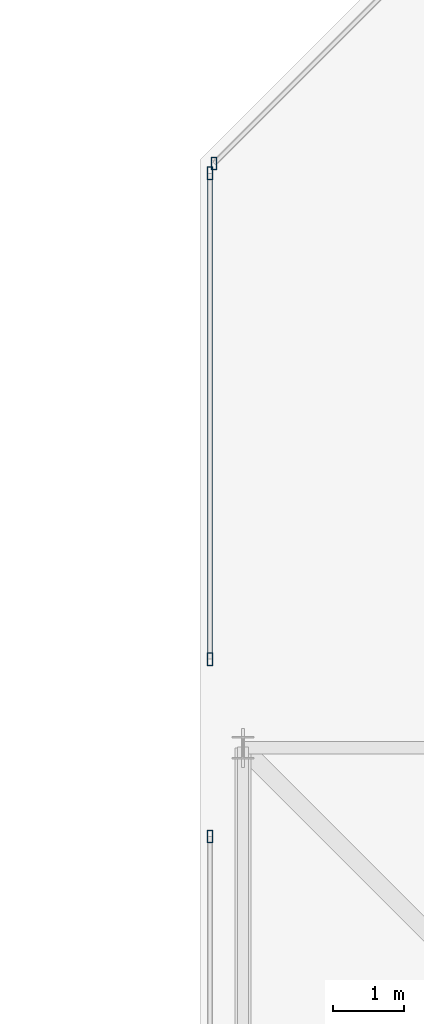
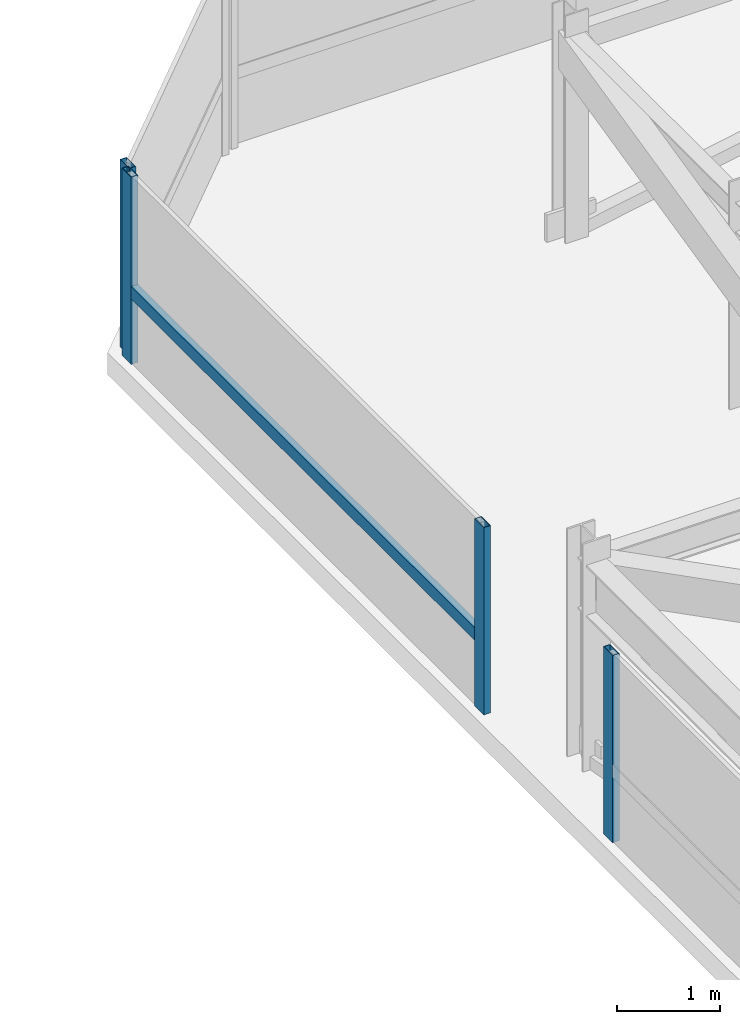
# One storey, part 28 of 44: 5 members, 3 elements without a shape of their own.
"""IFC4 building model written with IfcOpenShell, lengths in metres."""

from ifc_helpers import new_model, si_unit, direction, frame, origin, origin_2d, place, context, subcontext, project, spatial, hollow_rectangle, extrude, material, material_profile, profile_set, type_object, element, aggregate, save


model = new_model("IFC4")

# Units and contexts
model_context = context("Model", 3, precision=1e-05, world=origin(), true_north=direction((0.0, 1.0)))
body_context = subcontext(model_context, "Body", "Model", "MODEL_VIEW")
ifc_project = project(units=[si_unit("LENGTHUNIT", "METRE"), si_unit("AREAUNIT", "SQUARE_METRE"), si_unit("VOLUMEUNIT", "CUBIC_METRE"), si_unit("PLANEANGLEUNIT", "RADIAN"), si_unit("MASSUNIT", "GRAM", prefix="KILO")], contexts=[model_context])

# Site, building, storey
site_placement = place(None, origin())
site = spatial("IfcSite", under=ifc_project, at=site_placement, CompositionType="ELEMENT")
building_placement = place(site_placement, origin())
building = spatial("IfcBuilding", under=site, at=building_placement, Name="Thornwick Lancets Civic Towers", CompositionType="ELEMENT")
storey_placement = place(building_placement, frame((0.0, 0.0, 294.89990234375)))
storey = spatial("IfcBuildingStorey", under=building, at=storey_placement, Name="C06", CompositionType="ELEMENT", Elevation=294.89990234375)

# Curtain wall, member
ifc_material_1 = material(Name="Crown ring acoustic-louvre and glazing screen wall", Category="glass")
curtain_wall_type = type_object("IfcCurtainWallType", Name="CW_SYS_07", PredefinedType="NOTDEFINED", material=ifc_material_1)
curtain_wall_1_placement = place(storey_placement, origin())
curtain_wall_1 = element("IfcCurtainWall", 1, at=curtain_wall_1_placement, inside=storey, type_object=curtain_wall_type, Name="C06 Curtain Wall CW-C06-B-E5", PredefinedType="NOTDEFINED")
ifc_material_2 = material(Name="Thermally broken bronze aluminium S355", Category="steel")
ifc_material_profile_1 = material_profile(ifc_material_2, hollow_rectangle(XDim=0.074951171875, YDim=0.179931640625, WallThickness=0.006103515625, at=origin_2d()), Name="RHS 180x75x6")
ifc_profile_set_1 = profile_set([ifc_material_profile_1], Name="Thermally broken bronze aluminium S355")
member_type_1 = type_object("IfcMemberType", Name="CW_MUL_180", PredefinedType="MULLION", material=ifc_profile_set_1)
member_1_placement = place(storey_placement, frame((70.7919921875, 48.238037109375, 0.0), z_axis=(0.0, 0.0, 1.0), x_axis=(1.0, 0.0, 0.0)))
member_1 = element("IfcMember", 2, at=member_1_placement, type_object=member_type_1, Name="CW-C06-B-E5 Mullion 1", PredefinedType="MULLION", context=body_context, shape_type="SweptSolid", body=[
    extrude(hollow_rectangle(XDim=0.074951171875, YDim=0.179931640625, WallThickness=0.006103515625, at=origin_2d()), origin(), (0.0, 0.0, 1.0), 2.22021484375),
])
aggregate(curtain_wall_1, [member_1])

# Curtain wall, members
curtain_wall_2_placement = place(storey_placement, origin())
curtain_wall_2 = element("IfcCurtainWall", 3, at=curtain_wall_2_placement, inside=storey, type_object=curtain_wall_type, Name="C06 Curtain Wall CW-C06-B-E6-S1", PredefinedType="NOTDEFINED")
member_2_placement = place(storey_placement, frame((70.7353515625, 48.101318359375, 0.0), z_axis=(0.0, 0.0, 1.0), x_axis=(1.0, 0.0, 0.0)))
member_2 = element("IfcMember", 4, at=member_2_placement, type_object=member_type_1, Name="CW-C06-B-E6-S1 Mullion 0", PredefinedType="MULLION", context=body_context, shape_type="SweptSolid", body=[
    extrude(hollow_rectangle(XDim=0.074951171875, YDim=0.179931640625, WallThickness=0.006103515625, at=origin_2d()), origin(), (0.0, 0.0, 1.0), 2.22021484375),
])
member_3_placement = place(storey_placement, frame((70.7353515625, 41.25, 0.0), z_axis=(0.0, 0.0, 1.0), x_axis=(1.0, 0.0, 0.0)))
member_3 = element("IfcMember", 5, at=member_3_placement, type_object=member_type_1, Name="CW-C06-B-E6-S1 Mullion 1", PredefinedType="MULLION", context=body_context, shape_type="SweptSolid", body=[
    extrude(hollow_rectangle(XDim=0.074951171875, YDim=0.179931640625, WallThickness=0.006103515625, at=origin_2d()), origin(), (0.0, 0.0, 1.0), 2.22021484375),
])

# Curtain wall, member
curtain_wall_3_placement = place(storey_placement, origin())
curtain_wall_3 = element("IfcCurtainWall", 6, at=curtain_wall_3_placement, inside=storey, type_object=curtain_wall_type, Name="C06 Curtain Wall CW-C06-B-E6-S2", PredefinedType="NOTDEFINED")
member_4_placement = place(storey_placement, frame((70.7353515625, 38.75, 0.0), z_axis=(0.0, 0.0, 1.0), x_axis=(1.0, 0.0, 0.0)))
member_4 = element("IfcMember", 7, at=member_4_placement, type_object=member_type_1, Name="CW-C06-B-E6-S2 Mullion 0", PredefinedType="MULLION", context=body_context, shape_type="SweptSolid", body=[
    extrude(hollow_rectangle(XDim=0.074951171875, YDim=0.179931640625, WallThickness=0.006103515625, at=origin_2d()), origin(), (0.0, 0.0, 1.0), 2.22021484375),
])
aggregate(curtain_wall_3, [member_4])

# Member
ifc_material_profile_2 = material_profile(ifc_material_2, hollow_rectangle(XDim=0.074951171875, YDim=0.14990234375, WallThickness=0.0048828125, at=origin_2d()), Name="RHS 150x75x5")
ifc_profile_set_2 = profile_set([ifc_material_profile_2], Name="Thermally broken bronze aluminium S355")
member_type_2 = type_object("IfcMemberType", Name="CW_TRN_150", PredefinedType="USERDEFINED", material=ifc_profile_set_2)
member_5_placement = place(storey_placement, frame((70.7353515625, 48.081298828125, 0.85009765625), z_axis=(0.0, -1.0, 0.0), x_axis=(1.0, 0.0, 0.0)))
member_5 = element("IfcMember", 8, at=member_5_placement, type_object=member_type_2, Name="CW-C06-B-E6-S1 Transom 0", ObjectType="TRANSOM", PredefinedType="USERDEFINED", context=body_context, shape_type="SweptSolid", body=[
    extrude(hollow_rectangle(XDim=0.074951171875, YDim=0.14990234375, WallThickness=0.0048828125, at=origin_2d()), origin(), (0.0, 0.0, 1.0), 6.811279296875),
])

aggregate(curtain_wall_2, [member_2, member_3, member_5])

save(model, "model.ifc")
